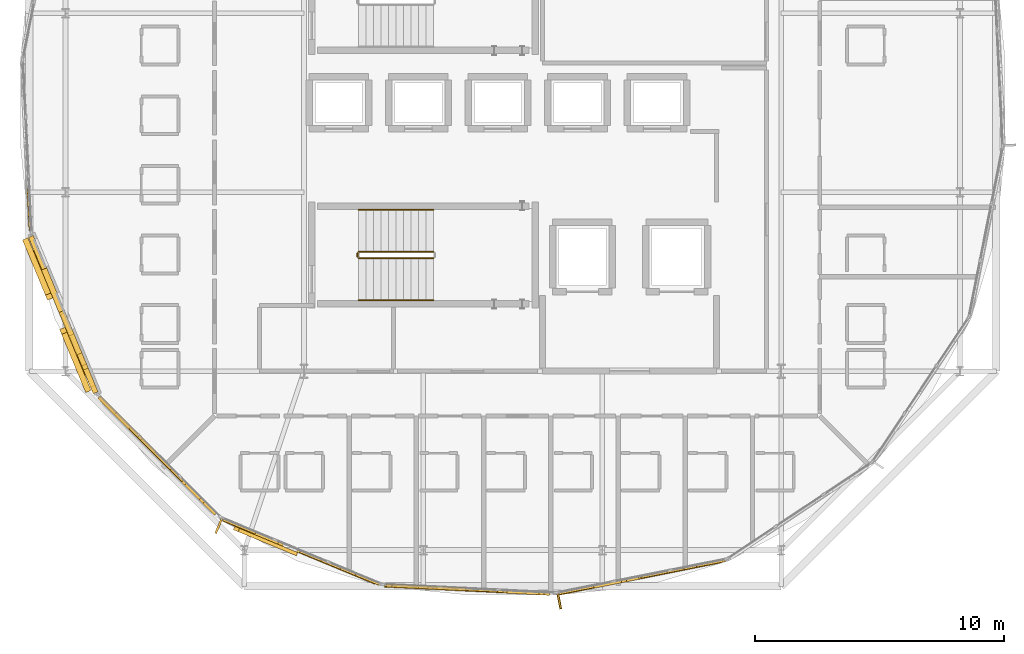
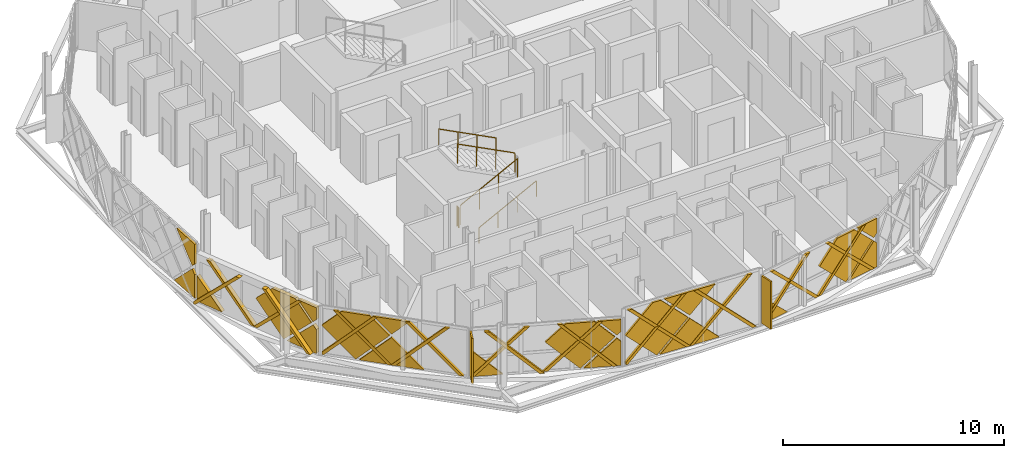
# One storey, part 20 of 24: 40 coverings, 5 railings, 2 shading devices.
"""IFC4 building model written with IfcOpenShell, lengths in metres."""

from ifc_helpers import new_model, si_unit, direction, frame, origin, origin_2d, place, context, subcontext, project, spatial, polyline, rectangle, circle, outline, extrude, material, layer, layer_set, type_object, element, save


model = new_model("IFC4")

# Units and contexts
model_context = context("Model", 3, precision=1e-05, world=origin(), true_north=direction((0.0, 1.0)))
body_context = subcontext(model_context, "Body", "Model", "MODEL_VIEW")
ifc_project = project(units=[si_unit("LENGTHUNIT", "METRE"), si_unit("AREAUNIT", "SQUARE_METRE"), si_unit("VOLUMEUNIT", "CUBIC_METRE"), si_unit("PLANEANGLEUNIT", "RADIAN"), si_unit("MASSUNIT", "GRAM", prefix="KILO")], contexts=[model_context])

# Site, building, storey
site_placement = place(None, origin())
site = spatial("IfcSite", under=ifc_project, at=site_placement, CompositionType="ELEMENT")
building_placement = place(site_placement, origin())
building = spatial("IfcBuilding", under=site, at=building_placement, Name="Zevrakil Square Congress Hotel", CompositionType="ELEMENT")
storey_placement = place(building_placement, frame((0.0, 0.0, 38.5)))
storey = spatial("IfcBuildingStorey", under=building, at=storey_placement, Name="L11", CompositionType="ELEMENT", Elevation=38.5)

# Coverings
ifc_material_1 = material(Name="Architectural White Fibre-C GRC", Category="concrete")
ifc_layer_1 = layer(ifc_material_1, 0.06494140625)
ifc_layer_set_1 = layer_set([ifc_layer_1], Name="Architectural White Fibre-C GRC")
covering_type_1 = type_object("IfcCoveringType", Name="COV-DIA-WHITE", PredefinedType="CLADDING", material=ifc_layer_set_1)
covering_1_placement = place(storey_placement, frame((148.46044921875, 8.08544921875, 0.080078125), z_axis=(0.19515029524, -0.98077308983, 0.000713115611), x_axis=(-0.980773339208, -0.19515034486, 0.0)))
element("IfcCovering", 1, at=covering_1_placement, inside=storey, type_object=covering_type_1, Name="L11 45-degree white GRC diamond facade cassette 3225", PredefinedType="CLADDING", context=body_context, shape_type="SweptSolid", body=[
    extrude(outline(polyline([(0.0, 0.0), (1.409920564436228, -2.710505431213761e-20), (1.4099694345435934, -1.4099124678691708), (0.0, 0.0)])), origin(), (0.0, 0.0, -1.0), 0.1201171875),
])
covering_2_placement = place(storey_placement, frame((153.5703125, 9.102783203125, 1.590087890625), z_axis=(0.195095002409, -0.980784201879, 0.000537940586), x_axis=(0.693383377426, 0.137538038276, -0.707320846531)))
element("IfcCovering", 2, at=covering_2_placement, inside=storey, type_object=covering_type_1, Name="L11 45-degree white GRC diamond facade cassette 3226", PredefinedType="CLADDING", context=body_context, shape_type="SweptSolid", body=[
    extrude(outline(polyline([(0.0, 0.0), (0.2626686507407934, -2.7755575615628914e-17), (1.1992154421148744, -0.9361815752429213), (0.0005602641638955408, -2.135563173304746), (0.0, 0.0)])), origin(), (0.0, 0.0, -1.0), 0.1201171875),
])
covering_3_placement = place(storey_placement, frame((153.48193359375, 9.085205078125, 1.679931640625), z_axis=(0.195080776518, -0.980786988028, 0.000612166274), x_axis=(-0.693480464467, -0.138376170121, -0.707062147867)))
element("IfcCovering", 3, at=covering_3_placement, inside=storey, type_object=covering_type_1, Name="L11 45-degree white GRC diamond facade cassette 3227", PredefinedType="CLADDING", context=body_context, shape_type="SweptSolid", body=[
    extrude(outline(polyline([(0.0, 0.0), (2.2485204282690683, 0.0), (2.248737007284788, -2.2484539865686766), (0.7284920020923953, -2.248515544333471), (9.704360302908999e-05, -1.5202122463929508), (0.0, 0.0)])), origin(), (0.0, 0.0, -1.0), 0.1201171875),
])
covering_4_placement = place(storey_placement, frame((153.5703125, 9.102783203125, 1.77001953125), z_axis=(0.195053882567, -0.980792285065, 0.000690255957), x_axis=(-0.693697403967, -0.137460646651, 0.707027921903)))
element("IfcCovering", 4, at=covering_4_placement, inside=storey, type_object=covering_type_1, Name="L11 45-degree white GRC diamond facade cassette 3228", PredefinedType="CLADDING", context=body_context, shape_type="SweptSolid", body=[
    extrude(outline(polyline([(0.0, 0.0), (1.3929624289150544, 0.0), (0.5650853304097163, -0.8276927966233867), (0.0001860464506083237, -0.26253306892476197), (0.0, 0.0)])), origin(), (0.0, 0.0, -1.0), 0.1201171875),
])
covering_5_placement = place(storey_placement, frame((125.7197265625, 22.64453125, 1.590087890625), z_axis=(-0.998799547496, -0.048980456352, 0.000615481979), x_axis=(0.03419991117, -0.706283026563, -0.707102999898)))
element("IfcCovering", 5, at=covering_5_placement, inside=storey, type_object=covering_type_1, Name="L11 45-degree white GRC diamond facade cassette 3325", PredefinedType="CLADDING", context=body_context, shape_type="SweptSolid", body=[
    extrude(outline(polyline([(0.0, 0.0), (0.3017650147386788, 0.0), (1.2185915363995756, -0.9168867142024234), (5.4303358222762554e-05, -2.1354114344568336), (0.0, 0.0)])), origin(), (0.0, 0.0, -1.0), 0.1201171875),
])
covering_6_placement = place(storey_placement, frame((125.7197265625, 22.64453125, 1.77001953125), z_axis=(-0.998792404655, -0.049126396242, 0.000574104544), x_axis=(-0.034332979111, 0.706289591697, 0.70708999371)))
element("IfcCovering", 6, at=covering_6_placement, inside=storey, type_object=covering_type_1, Name="L11 45-degree white GRC diamond facade cassette 3328", PredefinedType="CLADDING", context=body_context, shape_type="SweptSolid", body=[
    extrude(outline(polyline([(0.0, 0.0), (1.8385904451554322, -1.1102230246251565e-16), (0.7683310756634678, -1.0702087952476251), (-2.5588410549254315e-05, -0.30178197650882593), (0.0, 0.0)])), origin(), (0.0, 0.0, -1.0), 0.1201171875),
])
covering_7_placement = place(storey_placement, frame((126.249755859375, 20.876220703125, 0.080078125), z_axis=(-0.923868911108, -0.382708583608, 0.000612471671), x_axis=(-0.382708655389, 0.923869084389, 0.0)))
element("IfcCovering", 7, at=covering_7_placement, inside=storey, type_object=covering_type_1, Name="L11 45-degree white GRC diamond facade cassette 3333", PredefinedType="CLADDING", context=body_context, shape_type="SweptSolid", body=[
    extrude(outline(polyline([(0.0, 0.0), (1.4098212142643223, 0.0), (1.4099920180247254, -1.409912373819281), (0.0, 0.0)])), origin(), (0.0, 0.0, -1.0), 0.2099609375),
])
covering_8_placement = place(storey_placement, frame((128.244384765625, 16.06298828125, 1.590087890625), z_axis=(-0.92386810369, -0.382710638562, 0.000542324282), x_axis=(0.270236009364, -0.653355103566, -0.707177211092)))
element("IfcCovering", 8, at=covering_8_placement, inside=storey, type_object=covering_type_1, Name="L11 45-degree white GRC diamond facade cassette 3334", PredefinedType="CLADDING", context=body_context, shape_type="SweptSolid", body=[
    extrude(outline(polyline([(0.0, 0.0), (0.26272196635071365, 2.7755575615628914e-17), (1.1991408726097759, -0.9363095231817212), (0.00019873089311528425, -2.135490849810203), (0.0, 0.0)])), origin(), (0.0, 0.0, -1.0), 0.2099609375),
])
covering_9_placement = place(storey_placement, frame((128.210205078125, 16.146240234375, 1.679931640625), z_axis=(-0.923863475485, -0.382721624091, 0.000661149331), x_axis=(-0.271071427998, 0.65312618282, -0.707068928916)))
element("IfcCovering", 9, at=covering_9_placement, inside=storey, type_object=covering_type_1, Name="L11 45-degree white GRC diamond facade cassette 3335", PredefinedType="CLADDING", context=body_context, shape_type="SweptSolid", body=[
    extrude(outline(polyline([(0.0, 0.0), (2.248499074822469, 0.0), (2.2486226627064196, -2.248382882991259), (0.9263291659576836, -2.248532710100302), (4.5931114025288267e-05, -1.322348127724787), (0.0, 0.0)])), origin(), (0.0, 0.0, -1.0), 0.2099609375),
])
covering_10_placement = place(storey_placement, frame((128.24462890625, 16.06298828125, 1.77001953125), z_axis=(-0.92381429847, -0.382840479893, 0.000555785197), x_axis=(-0.270376606418, 0.653459451868, 0.707027040123)))
element("IfcCovering", 10, at=covering_10_placement, inside=storey, type_object=covering_type_1, Name="L11 45-degree white GRC diamond facade cassette 3336", PredefinedType="CLADDING", context=body_context, shape_type="SweptSolid", body=[
    extrude(outline(polyline([(0.0, 0.0), (1.1951039117884055, -1.1102230246251565e-16), (0.4660819592223746, -0.7288576698781483), (9.010577347481896e-05, -0.26262865672501245), (0.0, 0.0)])), origin(), (0.0, 0.0, -1.0), 0.2099609375),
])
covering_11_placement = place(storey_placement, frame((130.8193359375, 13.42138671875, 1.590087890625), z_axis=(-0.707106614827, -0.707106614827, 0.000685956296), x_axis=(0.499688110054, -0.500374023726, -0.70706267689)))
element("IfcCovering", 11, at=covering_11_placement, inside=storey, type_object=covering_type_1, Name="L11 45-degree white GRC diamond facade cassette 3341", PredefinedType="CLADDING", context=body_context, shape_type="SweptSolid", body=[
    extrude(outline(polyline([(0.0, 0.0), (2.1356094940087047, 0.0), (-2.1239432958841675e-05, -2.1353653520635065), (0.0, 0.0)])), origin(), (0.0, 0.0, -1.0), 0.1201171875),
])
covering_12_placement = place(storey_placement, frame((130.755859375, 13.485107421875, 1.679931640625), z_axis=(-0.70708609751, -0.707127249236, 0.000551448588), x_axis=(-0.500307620682, 0.499727091566, -0.707082115912)))
element("IfcCovering", 12, at=covering_12_placement, inside=storey, type_object=covering_type_1, Name="L11 45-degree white GRC diamond facade cassette 3342", PredefinedType="CLADDING", context=body_context, shape_type="SweptSolid", body=[
    extrude(outline(polyline([(0.0, 0.0), (2.2484571118915833, 0.0), (2.248732755742857, -2.234421052006172), (2.234455157811838, -2.2484554854655907), (0.9262940953528926, -2.2485564997839877), (-7.588794870283522e-06, -1.3223191233322185), (0.0, 0.0)])), origin(), (0.0, 0.0, -1.0), 0.1201171875),
])
covering_13_placement = place(storey_placement, frame((130.819580078125, 13.42138671875, 1.77001953125), z_axis=(-0.707178920088, -0.707034450441, 0.000510757179), x_axis=(-0.499714285029, 0.500327180718, 0.707077326445)))
element("IfcCovering", 13, at=covering_13_placement, inside=storey, type_object=covering_type_1, Name="L11 45-degree white GRC diamond facade cassette 3343", PredefinedType="CLADDING", context=body_context, shape_type="SweptSolid", body=[
    extrude(outline(polyline([(0.0, 0.0), (1.1950188070277745, -2.220446049250313e-16), (2.289380869235913e-05, -1.1948966753156918), (0.0, 0.0)])), origin(), (0.0, 0.0, -1.0), 0.1201171875),
])
covering_14_placement = place(storey_placement, frame((134.822509765625, 10.244384765625, 0.080078125), z_axis=(-0.382647340274, -0.92389421163, 0.000706186006), x_axis=(-0.923894442002, 0.382647435687, 0.0)))
element("IfcCovering", 14, at=covering_14_placement, inside=storey, type_object=covering_type_1, Name="L11 45-degree white GRC diamond facade cassette 3348", PredefinedType="CLADDING", context=body_context, shape_type="SweptSolid", body=[
    extrude(outline(polyline([(0.0, 0.0), (1.4100467713356626, 5.421010862427522e-20), (1.410194890305571, -1.4099124609357825), (0.0, 0.0)])), origin(), (0.0, 0.0, -1.0), 0.1201171875),
])
covering_15_placement = place(storey_placement, frame((139.63623046875, 8.25146484375, 1.590087890625), z_axis=(-0.382668305028, -0.923885581687, 0.000632675258), x_axis=(0.653049620151, -0.2709738193, -0.707177052)))
element("IfcCovering", 15, at=covering_15_placement, inside=storey, type_object=covering_type_1, Name="L11 45-degree white GRC diamond facade cassette 3349", PredefinedType="CLADDING", context=body_context, shape_type="SweptSolid", body=[
    extrude(outline(polyline([(0.0, 0.0), (0.26272192406104, 0.0), (1.199284222816517, -0.9361663029407331), (0.00011629126202139517, -2.1355729506382533), (0.0, 0.0)])), origin(), (0.0, 0.0, -1.0), 0.1201171875),
])
covering_16_placement = place(storey_placement, frame((139.552978515625, 8.285888671875, 1.679931640625), z_axis=(-0.382698088564, -0.923873273025, 0.000590253519), x_axis=(-0.65345720985, 0.270231289556, -0.707084666105)))
element("IfcCovering", 16, at=covering_16_placement, inside=storey, type_object=covering_type_1, Name="L11 45-degree white GRC diamond facade cassette 3350", PredefinedType="CLADDING", context=body_context, shape_type="SweptSolid", body=[
    extrude(outline(polyline([(0.0, 0.0), (2.248448856019033, -4.440892098500626e-16), (2.248732187931719, -2.2485923420186613), (0.9262245214378733, -2.2484985731310645), (-3.822921729845774e-05, -1.322293501396708), (0.0, 0.0)])), origin(), (0.0, 0.0, -1.0), 0.1201171875),
])
covering_17_placement = place(storey_placement, frame((139.63623046875, 8.251708984375, 1.77001953125), z_axis=(-0.382739039472, -0.923856391577, 0.000442048608), x_axis=(-0.653153184505, 0.270929331259, 0.707098447908)))
element("IfcCovering", 17, at=covering_17_placement, inside=storey, type_object=covering_type_1, Name="L11 45-degree white GRC diamond facade cassette 3351", PredefinedType="CLADDING", context=body_context, shape_type="SweptSolid", body=[
    extrude(outline(polyline([(0.0, 0.0), (1.194983093828867, 1.1102230246251565e-16), (0.46603476080402845, -0.7289313116559744), (2.3143250613311128e-05, -0.2627219690155892), (0.0, 0.0)])), origin(), (0.0, 0.0, -1.0), 0.1201171875),
])
covering_18_placement = place(storey_placement, frame((143.28759765625, 7.97021484375, 1.590087890625), z_axis=(-0.049070712495, -0.998795144772, 0.000569170309), x_axis=(0.706213620042, -0.035099171338, -0.707128256428)))
element("IfcCovering", 18, at=covering_18_placement, inside=storey, type_object=covering_type_1, Name="L11 45-degree white GRC diamond facade cassette 3356", PredefinedType="CLADDING", context=body_context, shape_type="SweptSolid", body=[
    extrude(outline(polyline([(0.0, 0.0), (2.135411436183075, 2.220446049250313e-16), (1.7277829691408897e-05, -2.135524562428044), (0.0, 0.0)])), origin(), (0.0, 0.0, -1.0), 0.1201171875),
])
covering_19_placement = place(storey_placement, frame((143.19775390625, 7.974609375, 1.679931640625), z_axis=(-0.049079526037, -0.998794683554, 0.000616625864), x_axis=(-0.706312289652, 0.034270781689, -0.707070338092)))
element("IfcCovering", 19, at=covering_19_placement, inside=storey, type_object=covering_type_1, Name="L11 45-degree white GRC diamond facade cassette 3357", PredefinedType="CLADDING", context=body_context, shape_type="SweptSolid", body=[
    extrude(outline(polyline([(0.0, 0.0), (2.2484943976690683, -2.220446049250313e-16), (2.2487755020248104, -2.2343893021473207), (2.2346202852954358, -2.248545972604246), (0.28289574134814033, -2.248716464904862), (0.000106962249659448, -1.9659565954745808), (0.0, 0.0)])), origin(), (0.0, 0.0, -1.0), 0.1201171875),
])
covering_20_placement = place(storey_placement, frame((143.28759765625, 7.970458984375, 1.77001953125), z_axis=(-0.049019591748, -0.998797658683, 0.000562702906), x_axis=(-0.706207169348, 0.035058046767, 0.70713673877)))
element("IfcCovering", 20, at=covering_20_placement, inside=storey, type_object=covering_type_1, Name="L11 45-degree white GRC diamond facade cassette 3358", PredefinedType="CLADDING", context=body_context, shape_type="SweptSolid", body=[
    extrude(outline(polyline([(0.0, 0.0), (1.8384687951391032, 3.3306690738754696e-16), (0.00020713654562809491, -1.8384180117827502), (0.0, 0.0)])), origin(), (0.0, 0.0, -1.0), 0.1201171875),
])
ifc_material_2 = material(Name="Anodised Champagne Aluminium", Category="aluminium")
ifc_layer_2 = layer(ifc_material_2, 0.0849609375)
ifc_layer_set_2 = layer_set([ifc_layer_2], Name="Anodised Champagne Aluminium")
covering_type_2 = type_object("IfcCoveringType", Name="COV-DIAGRID-45", PredefinedType="MOLDING", material=ifc_layer_set_2)
covering_21_placement = place(storey_placement, frame((147.1669921875, 7.802734375, 0.080078125), z_axis=(0.195545862301, -0.980694547761, 0.000140456318), x_axis=(-0.980694557435, -0.195545864231, -3.605e-09)))
element("IfcCovering", 21, at=covering_21_placement, inside=storey, type_object=covering_type_2, Name="L11 45-degree aluminium diagrid rib 3229", PredefinedType="MOLDING", context=body_context, shape_type="SweptSolid", body=[
    extrude(outline(polyline([(0.0, 0.0), (0.08613598181258898, 0.0), (0.08613598135844246, -0.12597656125736864), (-2.4626557953205728, -2.6748047054359474), (-2.675003269542037, -2.6748047018397916), (0.0, 0.0)])), origin(), (0.0, 0.0, -1.0), 0.14501953125),
])
covering_22_placement = place(storey_placement, frame((150.46240234375, 8.4580078125, 0.080078125), z_axis=(0.195119810144, -0.980779222671, 0.000613242335), x_axis=(-0.980779407131, -0.195119846625, 3.46221e-07)))
element("IfcCovering", 22, at=covering_22_placement, inside=storey, type_object=covering_type_2, Name="L11 45-degree aluminium diagrid rib 3230", PredefinedType="MOLDING", context=body_context, shape_type="SweptSolid", body=[
    extrude(outline(polyline([(0.0, 0.0), (0.21206037816297185, 3.3881317890172014e-21), (-2.46294154751785, -2.6748060431753027), (-2.675049562362127, -2.674806190031506), (0.0, 0.0)])), origin(), (0.0, 0.0, -1.0), 0.14501953125),
])
for number, where, z_axis, x_axis, name in (
    (23, (147.473388671875, 7.865234375, 2.7548828125), (0.195119811248, -0.980779228221, 0.000603943624), (0.98077940713, 0.195119846631, -3.40972e-07), "L11 45-degree aluminium diagrid rib 3231"),
    (24, (150.768798828125, 8.520751953125, 2.7548828125), (0.195119811248, -0.980779228221, 0.000603943624), (0.98077940713, 0.195119846631, -3.40972e-07), "L11 45-degree aluminium diagrid rib 3232"),
):
    element("IfcCovering", number, at=place(storey_placement, frame(where, z_axis=z_axis, x_axis=x_axis)), inside=storey, type_object=covering_type_2, Name=name, PredefinedType="MOLDING", context=body_context, shape_type="SweptSolid", body=[
        extrude(outline(polyline([(0.0, 0.0), (0.21206037816297146, 0.0), (2.8872108460674766, -2.6748041908579565), (2.6751028312231986, -2.6748043354873507), (0.0, 0.0)])), origin(), (0.0, 0.0, -1.0), 0.14501953125),
    ])
covering_23_placement = place(storey_placement, frame((125.72021484375, 22.089599609375, 0.080078125), z_axis=(0.923660795462, 0.383211083995, 5.401904e-06), x_axis=(-0.383211084, 0.923660795476, -3.561e-09)))
element("IfcCovering", 25, at=covering_23_placement, inside=storey, type_object=covering_type_2, Name="L11 45-degree aluminium diagrid rib 3337", PredefinedType="MOLDING", context=body_context, shape_type="SweptSolid", body=[
    extrude(outline(polyline([(0.0, 0.0), (0.08614426651982643, 0.0), (0.0861442660712141, 0.12597656249816197), (-2.3228317187213507, 2.534912101055345), (-2.5348398361392785, 2.534912099978897), (0.0, 0.0)])), origin(), (0.0, 0.0, -1.0), 0.235107421875),
])
covering_24_placement = place(storey_placement, frame((127.005859375, 18.985595703125, 0.080078125), z_axis=(-0.924044415065, -0.382283795391, 0.001009341023), x_axis=(-0.382283990328, 0.924044885673, -2.22266e-07)))
element("IfcCovering", 26, at=covering_24_placement, inside=storey, type_object=covering_type_2, Name="L11 45-degree aluminium diagrid rib 3338", PredefinedType="MOLDING", context=body_context, shape_type="SweptSolid", body=[
    extrude(outline(polyline([(0.0, 0.0), (0.2119146198971744, 0.0), (-2.3229244325708005, -2.534912884314082), (-2.5350646493638913, -2.5349127900610795), (0.0, 0.0)])), origin(), (0.0, 0.0, -1.0), 0.235107421875),
])
covering_25_placement = place(storey_placement, frame((125.894775390625, 21.671875, 2.614990234375), z_axis=(-0.923925581705, -0.382571925177, 0.000491464572), x_axis=(0.382571971498, -0.923925693237, 2.61171e-07)))
element("IfcCovering", 27, at=covering_25_placement, inside=storey, type_object=covering_type_2, Name="L11 45-degree aluminium diagrid rib 3339", PredefinedType="MOLDING", context=body_context, shape_type="SweptSolid", body=[
    extrude(outline(polyline([(0.0, 0.0), (0.21223359330527425, -6.776263578034403e-21), (2.747079131831888, -2.534913132971013), (2.534938939886843, -2.534913022136826), (0.0, 0.0)])), origin(), (0.0, 0.0, -1.0), 0.235107421875),
])
covering_26_placement = place(storey_placement, frame((127.1806640625, 18.567626953125, 2.614990234375), z_axis=(0.924128952975, 0.382080712812, 8.4681304e-05), x_axis=(0.382080714181, -0.924128956288, 0.0)))
element("IfcCovering", 28, at=covering_26_placement, inside=storey, type_object=covering_type_2, Name="L11 45-degree aluminium diagrid rib 3340", PredefinedType="MOLDING", context=body_context, shape_type="SweptSolid", body=[
    extrude(outline(polyline([(0.0, 0.0), (0.2121402219257289, -8.470329472543003e-22), (2.747080067984982, 2.53491211846383), (2.5349398460592534, 2.53491211846383), (0.0, 0.0)])), origin(), (0.0, 0.0, -1.0), 0.235107421875),
])
covering_27_placement = place(storey_placement, frame((128.556640625, 15.647216796875, 0.080078125), z_axis=(-0.706990606401, -0.707222801633, 0.000437391018), x_axis=(-0.707222868989, 0.706990674322, 9.48349e-07)))
element("IfcCovering", 29, at=covering_27_placement, inside=storey, type_object=covering_type_2, Name="L11 45-degree aluminium diagrid rib 3344", PredefinedType="MOLDING", context=body_context, shape_type="SweptSolid", body=[
    extrude(outline(polyline([(0.0, 0.0), (0.08614408275359477, -6.776263578034403e-21), (0.0861442022233641, -0.12597655044959782), (-2.3227814479468423, -2.534914582473057), (-2.5349480344853803, -2.534914843952924), (0.0, 0.0)])), origin(), (0.0, 0.0, -1.0), 0.14501953125),
])
covering_28_placement = place(storey_placement, frame((130.9326171875, 13.271484375, 0.080078125), z_axis=(-0.70681891946, -0.707394504899, 0.000171849645), x_axis=(-0.707394515336, 0.706818929905, 6.9943e-08)))
element("IfcCovering", 30, at=covering_28_placement, inside=storey, type_object=covering_type_2, Name="L11 45-degree aluminium diagrid rib 3345", PredefinedType="MOLDING", context=body_context, shape_type="SweptSolid", body=[
    extrude(outline(polyline([(0.0, 0.0), (0.2119939100044403, 0.0), (-2.322956454030431, -2.5349123092801533), (-2.535123067773967, -2.53491233894716), (0.0, 0.0)])), origin(), (0.0, 0.0, -1.0), 0.14501953125),
])
covering_29_placement = place(storey_placement, frame((128.878173828125, 15.328125, 2.614990234375), z_axis=(-0.707106648366, -0.707106648366, 0.000612921105), x_axis=(0.707106781187, -0.707106781187, 0.0)))
element("IfcCovering", 31, at=covering_29_placement, inside=storey, type_object=covering_type_2, Name="L11 45-degree aluminium diagrid rib 3346", PredefinedType="MOLDING", context=body_context, shape_type="SweptSolid", body=[
    extrude(outline(polyline([(0.0, 0.0), (0.21199392756276378, 0.0), (2.747116750249397, -2.5349125855232417), (2.5347775557036325, -2.5349125855232417), (0.0, 0.0)])), origin(), (0.0, 0.0, -1.0), 0.14501953125),
])
covering_30_placement = place(storey_placement, frame((131.25390625, 12.952392578125, 2.614990234375), z_axis=(-0.707394504899, -0.70681891946, 0.000171849645), x_axis=(0.706818929888, -0.707394515353, -6.9886e-08)))
element("IfcCovering", 32, at=covering_30_placement, inside=storey, type_object=covering_type_2, Name="L11 45-degree aluminium diagrid rib 3347", PredefinedType="MOLDING", context=body_context, shape_type="SweptSolid", body=[
    extrude(outline(polyline([(0.0, 0.0), (0.2121666137435381, 6.776263578034403e-21), (2.7471173322321745, -2.534911954821018), (2.535123422227737, -2.534911984463876), (0.0, 0.0)])), origin(), (0.0, 0.0, -1.0), 0.14501953125),
])
covering_31_placement = place(storey_placement, frame((133.589599609375, 10.72802734375, 0.080078125), z_axis=(-0.382897329428, -0.923790526808, 0.000835281725), x_axis=(-0.923790848866, 0.382897463496, 6.4105e-07)))
element("IfcCovering", 33, at=covering_31_placement, inside=storey, type_object=covering_type_2, Name="L11 45-degree aluminium diagrid rib 3352", PredefinedType="MOLDING", context=body_context, shape_type="SweptSolid", body=[
    extrude(outline(polyline([(0.0, 0.0), (0.08591874596027742, 0.0), (0.08591882671758681, -0.12597651855332226), (-2.3229293354147145, -2.534914516421487), (-2.5351629552836807, -2.5349146207246935), (0.0, 0.0)])), origin(), (0.0, 0.0, -1.0), 0.14501953125),
])
covering_32_placement = place(storey_placement, frame((136.69384765625, 9.442138671875, 0.080078125), z_axis=(-0.382571917989, -0.923925564347, 0.000528310554), x_axis=(-0.923925693343, 0.382571971242, -2.80875e-07)))
element("IfcCovering", 34, at=covering_32_placement, inside=storey, type_object=covering_type_2, Name="L11 45-degree aluminium diagrid rib 3353", PredefinedType="MOLDING", context=body_context, shape_type="SweptSolid", body=[
    extrude(outline(polyline([(0.0, 0.0), (0.2121401919450753, 6.776263578034403e-21), (-2.3229322884178454, -2.5349118106832966), (-2.5351658817230875, -2.534911691487215), (0.0, 0.0)])), origin(), (0.0, 0.0, -1.0), 0.14501953125),
])
covering_33_placement = place(storey_placement, frame((134.0087890625, 10.55615234375, 2.614990234375), z_axis=(0.383266522762, 0.92363779134, 5.4205413e-05), x_axis=(0.923637792697, -0.383266523325, 1.1962e-08)))
element("IfcCovering", 35, at=covering_33_placement, inside=storey, type_object=covering_type_2, Name="L11 45-degree aluminium diagrid rib 3354", PredefinedType="MOLDING", context=body_context, shape_type="SweptSolid", body=[
    extrude(outline(polyline([(0.0, 0.0), (0.2120081206079828, 0.0), (2.747073414032632, 2.534912145959362), (2.5348397959166666, 2.534912140884614), (0.0, 0.0)])), origin(), (0.0, 0.0, -1.0), 0.14501953125),
])
covering_34_placement = place(storey_placement, frame((137.11279296875, 9.270263671875, 2.614990234375), z_axis=(-0.382080391361, -0.924128175491, 0.001299923424), x_axis=(0.924128956288, -0.382080714181, 0.0)))
element("IfcCovering", 36, at=covering_34_placement, inside=storey, type_object=covering_type_2, Name="L11 45-degree aluminium diagrid rib 3355", PredefinedType="MOLDING", context=body_context, shape_type="SweptSolid", body=[
    extrude(outline(polyline([(0.0, 0.0), (0.2121402219257289, 0.0), (2.7472969753934353, -2.534914251126106), (2.5351567534677066, -2.534914251126106), (0.0, 0.0)])), origin(), (0.0, 0.0, -1.0), 0.14501953125),
])
covering_35_placement = place(storey_placement, frame((140.1162109375, 8.10009765625, 0.080078125), z_axis=(-0.049529182626, -0.998772130084, 0.00104510049), x_axis=(-0.998772675601, 0.049529208265, -1.349773e-06)))
element("IfcCovering", 37, at=covering_35_placement, inside=storey, type_object=covering_type_2, Name="L11 45-degree aluminium diagrid rib 3359", PredefinedType="MOLDING", context=body_context, shape_type="SweptSolid", body=[
    extrude(outline(polyline([(0.0, 0.0), (0.08603759237109214, 0.0), (0.08604951442322328, -0.1259767485565137), (-2.777919575835969, -2.9899880606436646), (-2.989849670001327, -2.9899877732081594), (0.0, 0.0)])), origin(), (0.0, 0.0, -1.0), 0.14501953125),
])
covering_36_placement = place(storey_placement, frame((143.47216796875, 7.935302734375, 0.080078125), z_axis=(-0.049478470849, -0.998774713876, 0.000975624674), x_axis=(-0.998775189215, 0.049478494397, 0.0)))
element("IfcCovering", 38, at=covering_36_placement, inside=storey, type_object=covering_type_2, Name="L11 45-degree aluminium diagrid rib 3360", PredefinedType="MOLDING", context=body_context, shape_type="SweptSolid", body=[
    extrude(outline(polyline([(0.0, 0.0), (0.21217393542432023, -1.6940658945086007e-21), (-2.7776718507461577, -2.989991657377407), (-2.9898457861704784, -2.989991657377407), (0.0, 0.0)])), origin(), (0.0, 0.0, -1.0), 0.14501953125),
])
covering_37_placement = place(storey_placement, frame((140.114013671875, 8.10205078125, 3.070068359375), z_axis=(-0.049478493714, -0.998775175436, 0.000166111828), x_axis=(0.998775189215, -0.049478494397, 0.0)))
element("IfcCovering", 39, at=covering_37_placement, inside=storey, type_object=covering_type_2, Name="L11 45-degree aluminium diagrid rib 3361", PredefinedType="MOLDING", context=body_context, shape_type="SweptSolid", body=[
    extrude(outline(polyline([(0.0, 0.0), (0.21217393542432023, -2.117582368135751e-22), (3.202188837542443, -2.9899902756266097), (2.990014902118123, -2.9899902756266097), (0.0, 0.0)])), origin(), (0.0, 0.0, -1.0), 0.14501953125),
])
covering_38_placement = place(storey_placement, frame((143.47021484375, 7.93701171875, 3.070068359375), z_axis=(-0.048932655613, -0.998801852808, 0.000673826117), x_axis=(0.998802079569, -0.048932666474, 3.68683e-07)))
element("IfcCovering", 40, at=covering_38_placement, inside=storey, type_object=covering_type_2, Name="L11 45-degree aluminium diagrid rib 3362", PredefinedType="MOLDING", context=body_context, shape_type="SweptSolid", body=[
    extrude(outline(polyline([(0.0, 0.0), (0.21191810912557113, -8.470329472543003e-22), (3.2019311909711874, -2.989992093664734), (2.989757287229883, -2.989991937308997), (0.0, 0.0)])), origin(), (0.0, 0.0, -1.0), 0.14501953125),
])

# Railings
ifc_material_3 = material(Name="Steel S355", Category="steel")
railing_type_1 = type_object("IfcRailingType", Name="RLG-STAIR-GUARD-1100", PredefinedType="BALUSTRADE", material=ifc_material_3)
railing_1_placement = place(storey_placement, frame((139.0, 21.35009765625, 0.154541015625)))
element("IfcRailing", 41, at=railing_1_placement, inside=storey, type_object=railing_type_1, Name="L11 ST01 stair guard 1", PredefinedType="BALUSTRADE", context=body_context, shape_type="SweptSolid", body=[
    extrude(circle(Radius=0.02392578125, at=origin_2d()), frame((0.0, 0.0, 1.076171875), z_axis=(0.888979911393, 0.0, 0.45794619459), x_axis=(0.0, 1.0, 0.0)), (0.0, 0.0, 1.0), 3.374755859375),
    extrude(circle(Radius=0.02099609375, at=origin_2d()), origin(), (0.0, 0.0, 1.0), 1.052001953125),
    extrude(circle(Radius=0.02099609375, at=origin_2d()), frame((1.0, 0.0, 0.51513671875)), (0.0, 0.0, 1.0), 1.052001953125),
    extrude(circle(Radius=0.02099609375, at=origin_2d()), frame((2.0, 0.0, 1.0302734375)), (0.0, 0.0, 1.0), 1.052001953125),
    extrude(circle(Radius=0.02099609375, at=origin_2d()), frame((3.0, 0.0, 1.54541015625)), (0.0, 0.0, 1.0), 1.052001953125),
])
railing_2_placement = place(storey_placement, frame((142.0, 21.60009765625, 1.8544921875)))
element("IfcRailing", 42, at=railing_2_placement, inside=storey, type_object=railing_type_1, Name="L11 ST01 stair guard 3", PredefinedType="BALUSTRADE", context=body_context, shape_type="SweptSolid", body=[
    extrude(circle(Radius=0.02392578125, at=origin_2d()), frame((0.0, 0.0, 1.076171875), z_axis=(-0.888979911393, 0.0, 0.45794619459), x_axis=(0.0, -1.0, 0.0)), (0.0, 0.0, 1.0), 3.374755859375),
    extrude(circle(Radius=0.02099609375, at=origin_2d()), origin(), (0.0, 0.0, 1.0), 1.052001953125),
    extrude(circle(Radius=0.02099609375, at=origin_2d()), frame((-1.0, 0.0, 0.51513671875)), (0.0, 0.0, 1.0), 1.052001953125),
    extrude(circle(Radius=0.02099609375, at=origin_2d()), frame((-2.0, 0.0, 1.0302734375)), (0.0, 0.0, 1.0), 1.052001953125),
    extrude(circle(Radius=0.02099609375, at=origin_2d()), frame((-3.0, 0.0, 1.54541015625)), (0.0, 0.0, 1.0), 1.052001953125),
])
railing_3_placement = place(storey_placement, frame((138.949951171875, 21.39990234375, 0.0)))
element("IfcRailing", 43, at=railing_3_placement, inside=storey, type_object=railing_type_1, Name="L11 ST01 stair guard 4", PredefinedType="BALUSTRADE", context=body_context, shape_type="SweptSolid", body=[
    extrude(circle(Radius=0.02392578125, at=origin_2d()), frame((0.0, 0.0, 1.076171875), z_axis=(0.0, 1.0, 0.0), x_axis=(-1.0, 0.0, 0.0)), (0.0, 0.0, 1.0), 0.150146484375),
    extrude(circle(Radius=0.02099609375, at=origin_2d()), origin(), (0.0, 0.0, 1.0), 1.052001953125),
    extrude(circle(Radius=0.02099609375, at=origin_2d()), frame((0.0, 0.150146484375, 0.0)), (0.0, 0.0, 1.0), 1.052001953125),
])
ifc_material_4 = material(Name="Steel S355", Category="steel")
railing_type_2 = type_object("IfcRailingType", Name="RLG-STAIR-HAND-900", PredefinedType="HANDRAIL", material=ifc_material_4)
railing_4_placement = place(storey_placement, frame((139.0, 19.64990234375, 0.154541015625)))
element("IfcRailing", 44, at=railing_4_placement, inside=storey, type_object=railing_type_2, Name="L11 ST01 stair handrail 1", PredefinedType="HANDRAIL", context=body_context, shape_type="SweptSolid", body=[
    extrude(circle(Radius=0.02392578125, at=origin_2d()), frame((0.0, 0.0, 0.8759765625), z_axis=(0.888979911393, 0.0, 0.45794619459), x_axis=(0.0, 1.0, 0.0)), (0.0, 0.0, 1.0), 3.374755859375),
    extrude(circle(Radius=0.02099609375, at=origin_2d()), origin(), (0.0, 0.0, 1.0), 0.851806640625),
    extrude(circle(Radius=0.02099609375, at=origin_2d()), frame((1.0, 0.0, 0.51513671875)), (0.0, 0.0, 1.0), 0.851806640625),
    extrude(circle(Radius=0.02099609375, at=origin_2d()), frame((2.0, 0.0, 1.0302734375)), (0.0, 0.0, 1.0), 0.851806640625),
    extrude(circle(Radius=0.02099609375, at=origin_2d()), frame((3.0, 0.0, 1.54541015625)), (0.0, 0.0, 1.0), 0.851806640625),
])
railing_5_placement = place(storey_placement, frame((142.0, 23.300048828125, 1.8544921875)))
element("IfcRailing", 45, at=railing_5_placement, inside=storey, type_object=railing_type_2, Name="L11 ST01 stair handrail 2", PredefinedType="HANDRAIL", context=body_context, shape_type="SweptSolid", body=[
    extrude(circle(Radius=0.02392578125, at=origin_2d()), frame((0.0, 0.0, 0.8759765625), z_axis=(-0.888979911393, 0.0, 0.45794619459), x_axis=(0.0, -1.0, 0.0)), (0.0, 0.0, 1.0), 3.374755859375),
    extrude(circle(Radius=0.02099609375, at=origin_2d()), origin(), (0.0, 0.0, 1.0), 0.851806640625),
    extrude(circle(Radius=0.02099609375, at=origin_2d()), frame((-1.0, 0.0, 0.51513671875)), (0.0, 0.0, 1.0), 0.851806640625),
    extrude(circle(Radius=0.02099609375, at=origin_2d()), frame((-2.0, 0.0, 1.0302734375)), (0.0, 0.0, 1.0), 0.851806640625),
    extrude(circle(Radius=0.02099609375, at=origin_2d()), frame((-3.0, 0.0, 1.54541015625)), (0.0, 0.0, 1.0), 0.851806640625),
])

# Shading devices
ifc_material_5 = material(Name="Aluminium Anodised Bronze", Category="aluminium")
shading_device_type = type_object("IfcShadingDeviceType", Name="SHD-FIN-65", PredefinedType="USERDEFINED", material=ifc_material_5)
shading_device_1_placement = place(storey_placement, frame((147.0673828125, 7.553466796875, 0.10009765625), z_axis=(0.0, 0.0, 1.0), x_axis=(0.195090322016, -0.980785280403, 0.0)))
element("IfcShadingDevice", 46, at=shading_device_1_placement, inside=storey, type_object=shading_device_type, Name="L11 aluminium solar shading fin 179", ObjectType="SOLAR FIN", PredefinedType="USERDEFINED", context=body_context, shape_type="SweptSolid", body=[
    extrude(rectangle(XDim=0.64990234375, YDim=0.080078125, at=origin_2d()), origin(), (0.0, 0.0, 1.0), 2.635009765625),
])
shading_device_2_placement = place(storey_placement, frame((133.36865234375, 10.575927734375, 0.099853515625), z_axis=(0.0, 0.0, 1.0), x_axis=(-0.382683432365, -0.923879532511, 0.0)))
element("IfcShadingDevice", 47, at=shading_device_2_placement, inside=storey, type_object=shading_device_type, Name="L11 aluminium solar shading fin 186", ObjectType="SOLAR FIN", PredefinedType="USERDEFINED", context=body_context, shape_type="SweptSolid", body=[
    extrude(rectangle(XDim=0.64990234375, YDim=0.080078125, at=origin_2d()), origin(), (0.0, 0.0, 1.0), 2.4951171875),
])

save(model, "model.ifc")
